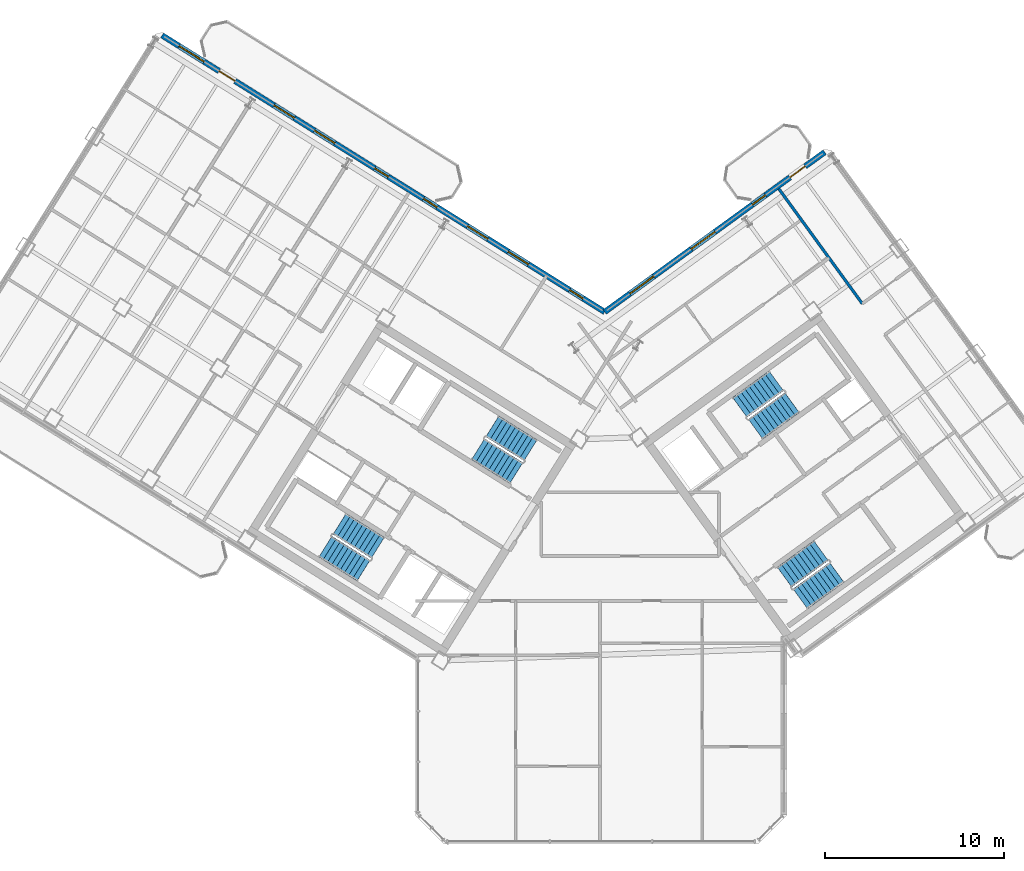
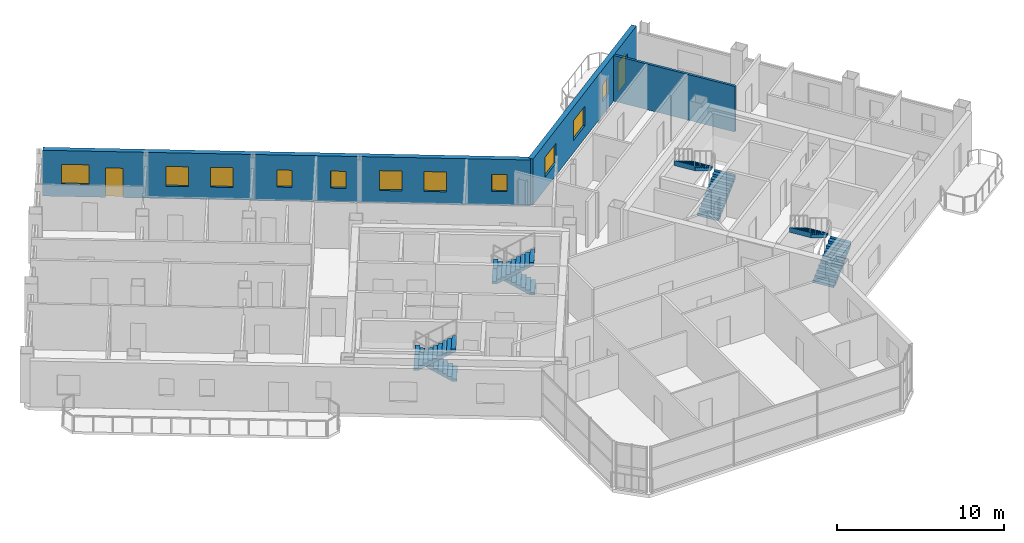
# One storey, part 16 of 21: 11 windows, 8 stair flights, 3 walls, 2 doors, 13 openings, 4 elements without a shape of their own.
"""IFC4 building model written with IfcOpenShell, lengths in metres."""

from ifc_helpers import new_model, si_unit, direction, frame, frame_2d, origin, place, context, subcontext, project, spatial, polyline, rectangle, outline, extrude, source, transform, mapped, material, layer, layer_set, type_object, element, fill, aggregate, save


model = new_model("IFC4")

# Units and contexts
model_context = context("Model", 3, precision=1e-05, world=origin(), true_north=direction((0.0, 1.0)))
body_context = subcontext(model_context, "Body", "Model", "MODEL_VIEW")
ifc_project = project(units=[si_unit("LENGTHUNIT", "METRE"), si_unit("AREAUNIT", "SQUARE_METRE"), si_unit("VOLUMEUNIT", "CUBIC_METRE"), si_unit("PLANEANGLEUNIT", "RADIAN"), si_unit("MASSUNIT", "GRAM", prefix="KILO")], contexts=[model_context])

# Site, building, storey
site_placement = place(None, origin())
site = spatial("IfcSite", under=ifc_project, at=site_placement, CompositionType="ELEMENT")
building_placement = place(site_placement, origin())
building = spatial("IfcBuilding", under=site, at=building_placement, Name="Tlacorven Tower", CompositionType="ELEMENT")
storey_placement = place(building_placement, frame((0.0, 0.0, 222.0)))
storey = spatial("IfcBuildingStorey", under=building, at=storey_placement, Name="L56", CompositionType="ELEMENT", Elevation=222.0)

# Wall
ifc_material_1 = material(Name="Gypsum plasterboard acoustic partition", Category="gypsum")
ifc_layer_1 = layer(ifc_material_1, 0.159912109375)
ifc_layer_set_1 = layer_set([ifc_layer_1], Name="Gypsum plasterboard acoustic partition")
wall_type_1 = type_object("IfcWallType", Name="WL-DEM-160", PredefinedType="PARTITIONING", material=ifc_layer_set_1)
wall_1_placement = place(storey_placement, frame((56.626708984375, 32.06201171875, 0.0), z_axis=(0.0, 0.0, 1.0), x_axis=(-0.587769918433, 0.809028134854, 0.0)))
element("IfcWall", 1, at=wall_1_placement, inside=storey, type_object=wall_type_1, Name="L56 partition 81", PredefinedType="PARTITIONING", context=body_context, shape_type="SweptSolid", body=[
    extrude(rectangle(XDim=7.9501953125, YDim=0.159912109375, at=frame_2d((3.97509765625, 0.0))), origin(), (0.0, 0.0, 1.0), 3.340087890625),
])

# Wall, openings, door, windows
ifc_material_2 = material(Name="Precast concrete C45/55", Category="concrete")
ifc_layer_2 = layer(ifc_material_2, 0.320068359375)
ifc_layer_set_2 = layer_set([ifc_layer_2], Name="Precast concrete C45/55")
wall_type_2 = type_object("IfcWallType", Name="WL-EXT-320", PredefinedType="STANDARD", material=ifc_layer_set_2)
wall_2_placement = place(storey_placement, frame((17.423828125, 47.083251953125, 0.0), z_axis=(0.0, 0.0, 1.0), x_axis=(0.848049927979, -0.529916332693, 0.0)))
wall_2 = element("IfcWall", 2, at=wall_2_placement, inside=storey, type_object=wall_type_2, Name="L56 Masonry-Frame Recessed Facade Wall 3", PredefinedType="STANDARD", context=body_context, shape_type="SweptSolid", body=[
    extrude(rectangle(XDim=29.22314453125, YDim=0.320068359375, at=frame_2d((14.611572265625, 0.0))), origin(), (0.0, 0.0, 1.0), 3.35009765625),
])
opening_1_placement = place(wall_2_placement, frame((3.77001953125, 0.0, 0.0)))
opening_1 = element("IfcOpeningElement", 3, at=opening_1_placement, cuts=wall_2, Name="Opening D06", PredefinedType="OPENING", context=body_context, shape_type="SweptSolid", body=[
    extrude(rectangle(XDim=1.050048828125, YDim=2.14990234375, at=frame_2d((0.52490234375, 1.074951171875))), frame((0.0, 0.169921875, 0.0), z_axis=(0.0, -1.0, 0.0), x_axis=(1.0, 0.0, 0.0)), (0.0, 0.0, 1.0), 0.340087890625),
])
opening_2_placement = place(wall_2_placement, frame((1.125, 0.0, 0.89990234375)))
opening_2 = element("IfcOpeningElement", 4, at=opening_2_placement, cuts=wall_2, Name="Opening WN07", PredefinedType="OPENING", context=body_context, shape_type="SweptSolid", body=[
    extrude(rectangle(XDim=1.64990234375, YDim=1.449951171875, at=frame_2d((0.824951171875, 0.72509765625))), frame((0.0, 0.169921875, 0.0), z_axis=(0.0, -1.0, 0.0), x_axis=(1.0, 0.0, 0.0)), (0.0, 0.0, 1.0), 0.340087890625),
])
opening_3_placement = place(wall_2_placement, frame((7.3837890625, 0.0, 0.89990234375)))
opening_3 = element("IfcOpeningElement", 5, at=opening_3_placement, cuts=wall_2, Name="Opening WN08", PredefinedType="OPENING", context=body_context, shape_type="SweptSolid", body=[
    extrude(rectangle(XDim=1.35009765625, YDim=1.449951171875, at=frame_2d((0.675048828125, 0.72509765625))), frame((0.0, 0.169921875, 0.0), z_axis=(0.0, -1.0, 0.0), x_axis=(1.0, 0.0, 0.0)), (0.0, 0.0, 1.0), 0.340087890625),
])
opening_4_placement = place(wall_2_placement, frame((10.0537109375, 0.0, 0.89990234375)))
opening_4 = element("IfcOpeningElement", 6, at=opening_4_placement, cuts=wall_2, Name="Opening WN08", PredefinedType="OPENING", context=body_context, shape_type="SweptSolid", body=[
    extrude(rectangle(XDim=1.35009765625, YDim=1.449951171875, at=frame_2d((0.675048828125, 0.72509765625))), frame((0.0, 0.169921875, 0.0), z_axis=(0.0, -1.0, 0.0), x_axis=(1.0, 0.0, 0.0)), (0.0, 0.0, 1.0), 0.340087890625),
])
opening_5_placement = place(wall_2_placement, frame((14.038818359375, 0.0, 1.0)))
opening_5 = element("IfcOpeningElement", 7, at=opening_5_placement, cuts=wall_2, Name="Opening WN05", PredefinedType="OPENING", context=body_context, shape_type="SweptSolid", body=[
    extrude(rectangle(XDim=0.89990234375, YDim=1.25, at=frame_2d((0.449951171875, 0.625))), frame((0.0, 0.169921875, 0.0), z_axis=(0.0, -1.0, 0.0), x_axis=(1.0, 0.0, 0.0)), (0.0, 0.0, 1.0), 0.340087890625),
])
opening_6_placement = place(wall_2_placement, frame((17.253662109375, 0.0, 1.0)))
opening_6 = element("IfcOpeningElement", 8, at=opening_6_placement, cuts=wall_2, Name="Opening WN05", PredefinedType="OPENING", context=body_context, shape_type="SweptSolid", body=[
    extrude(rectangle(XDim=0.89990234375, YDim=1.25, at=frame_2d((0.449951171875, 0.625))), frame((0.0, 0.169921875, 0.0), z_axis=(0.0, -1.0, 0.0), x_axis=(1.0, 0.0, 0.0)), (0.0, 0.0, 1.0), 0.340087890625),
])
opening_7_placement = place(wall_2_placement, frame((20.1611328125, 0.0, 0.89990234375)))
opening_7 = element("IfcOpeningElement", 9, at=opening_7_placement, cuts=wall_2, Name="Opening WN08", PredefinedType="OPENING", context=body_context, shape_type="SweptSolid", body=[
    extrude(rectangle(XDim=1.35009765625, YDim=1.449951171875, at=frame_2d((0.675048828125, 0.72509765625))), frame((0.0, 0.169921875, 0.0), z_axis=(0.0, -1.0, 0.0), x_axis=(1.0, 0.0, 0.0)), (0.0, 0.0, 1.0), 0.340087890625),
])
opening_8_placement = place(wall_2_placement, frame((22.84619140625, 0.0, 0.89990234375)))
opening_8 = element("IfcOpeningElement", 10, at=opening_8_placement, cuts=wall_2, Name="Opening WN08", PredefinedType="OPENING", context=body_context, shape_type="SweptSolid", body=[
    extrude(rectangle(XDim=1.35009765625, YDim=1.449951171875, at=frame_2d((0.675048828125, 0.72509765625))), frame((0.0, 0.169921875, 0.0), z_axis=(0.0, -1.0, 0.0), x_axis=(1.0, 0.0, 0.0)), (0.0, 0.0, 1.0), 0.340087890625),
])
opening_9_placement = place(wall_2_placement, frame((26.8984375, 0.0, 1.0)))
opening_9 = element("IfcOpeningElement", 11, at=opening_9_placement, cuts=wall_2, Name="Opening WN05", PredefinedType="OPENING", context=body_context, shape_type="SweptSolid", body=[
    extrude(rectangle(XDim=0.89990234375, YDim=1.25, at=frame_2d((0.449951171875, 0.625))), frame((0.0, 0.169921875, 0.0), z_axis=(0.0, -1.0, 0.0), x_axis=(1.0, 0.0, 0.0)), (0.0, 0.0, 1.0), 0.340087890625),
])
ifc_material_3 = material(Name="Powder-coated aluminium and timber door", Category="wood")
door_type = type_object("IfcDoorType", Name="DR-EXT-BALC-1050", OperationType="NOTDEFINED", PredefinedType="DOOR", material=ifc_material_3)
shared_shape_1 = source(origin(), body_context, "Body", "SweptSolid", [
    extrude(rectangle(XDim=1.050048828125, YDim=2.14990234375, at=frame_2d((0.52490234375, 1.074951171875))), frame((0.0, 0.02490234375, 0.0), z_axis=(0.0, -1.0, 0.0), x_axis=(1.0, 0.0, 0.0)), (0.0, 0.0, 1.0), 0.050048828125),
])
door_1_placement = place(opening_1_placement, origin())
door_1 = element("IfcDoor", 12, at=door_1_placement, inside=storey, type_object=door_type, Name="L56 Outdoor Access Door BAL-L56-W-IN", OperationType="SINGLE_SWING_RIGHT", OverallHeight=2.14990234375, OverallWidth=1.050048828125, PredefinedType="DOOR", context=body_context, shape_type="MappedRepresentation", body=[
    mapped(shared_shape_1, transform((0.0, 0.0, 0.0), scale=1.0)),
])
fill(opening_1, door_1)
ifc_material_4 = material(Name="Dark solar low-E double glazing in anodised aluminium frame", Category="aluminium")
window_type_1 = type_object("IfcWindowType", Name="WN-APT-0900X1350", PartitioningType="SINGLE_PANEL", PredefinedType="WINDOW", material=ifc_material_4)
shared_shape_2 = source(origin(), body_context, "Body", "SweptSolid", [
    extrude(rectangle(XDim=0.89990234375, YDim=1.25, at=frame_2d((0.449951171875, 0.625))), frame((0.0, 0.030029296875, 0.0), z_axis=(0.0, -1.0, 0.0), x_axis=(1.0, 0.0, 0.0)), (0.0, 0.0, 1.0), 0.06005859375),
])
window_1_placement = place(opening_5_placement, origin())
window_1 = element("IfcWindow", 13, at=window_1_placement, inside=storey, type_object=window_type_1, Name="L56 Recessed Masonry-Frame Window L56-03.4", OverallHeight=1.25, OverallWidth=0.89990234375, PartitioningType="SINGLE_PANEL", PredefinedType="WINDOW", context=body_context, shape_type="MappedRepresentation", body=[
    mapped(shared_shape_2, transform((0.0, 0.0, 0.0), scale=1.0)),
])
fill(opening_5, window_1)
window_2_placement = place(opening_6_placement, origin())
window_2 = element("IfcWindow", 14, at=window_2_placement, inside=storey, type_object=window_type_1, Name="L56 Recessed Masonry-Frame Window L56-03.5", OverallHeight=1.25, OverallWidth=0.89990234375, PartitioningType="SINGLE_PANEL", PredefinedType="WINDOW", context=body_context, shape_type="MappedRepresentation", body=[
    mapped(shared_shape_2, transform((0.0, 0.0, 0.0), scale=1.0)),
])
fill(opening_6, window_2)
window_3_placement = place(opening_9_placement, origin())
window_3 = element("IfcWindow", 15, at=window_3_placement, inside=storey, type_object=window_type_1, Name="L56 Recessed Masonry-Frame Window L56-03.8", OverallHeight=1.25, OverallWidth=0.89990234375, PartitioningType="SINGLE_PANEL", PredefinedType="WINDOW", context=body_context, shape_type="MappedRepresentation", body=[
    mapped(shared_shape_2, transform((0.0, 0.0, 0.0), scale=1.0)),
])
fill(opening_9, window_3)
window_type_2 = type_object("IfcWindowType", Name="WN-APT-1650X1600", PartitioningType="SINGLE_PANEL", PredefinedType="WINDOW", material=ifc_material_4)
shared_shape_3 = source(origin(), body_context, "Body", "SweptSolid", [
    extrude(rectangle(XDim=1.64990234375, YDim=1.449951171875, at=frame_2d((0.824951171875, 0.72509765625))), frame((0.0, 0.030029296875, 0.0), z_axis=(0.0, -1.0, 0.0), x_axis=(1.0, 0.0, 0.0)), (0.0, 0.0, 1.0), 0.06005859375),
])
window_4_placement = place(opening_2_placement, origin())
window_4 = element("IfcWindow", 16, at=window_4_placement, inside=storey, type_object=window_type_2, Name="L56 Recessed Masonry-Frame Window L56-03.1", OverallHeight=1.449951171875, OverallWidth=1.64990234375, PartitioningType="SINGLE_PANEL", PredefinedType="WINDOW", context=body_context, shape_type="MappedRepresentation", body=[
    mapped(shared_shape_3, transform((0.0, 0.0, 0.0), scale=1.0)),
])
fill(opening_2, window_4)
window_type_3 = type_object("IfcWindowType", Name="WN-APT-1350X1550", PartitioningType="SINGLE_PANEL", PredefinedType="WINDOW", material=ifc_material_4)
shared_shape_4 = source(origin(), body_context, "Body", "SweptSolid", [
    extrude(rectangle(XDim=1.35009765625, YDim=1.449951171875, at=frame_2d((0.675048828125, 0.72509765625))), frame((0.0, 0.030029296875, 0.0), z_axis=(0.0, -1.0, 0.0), x_axis=(1.0, 0.0, 0.0)), (0.0, 0.0, 1.0), 0.06005859375),
])
window_5_placement = place(opening_3_placement, origin())
window_5 = element("IfcWindow", 17, at=window_5_placement, inside=storey, type_object=window_type_3, Name="L56 Recessed Masonry-Frame Window L56-03.2", OverallHeight=1.449951171875, OverallWidth=1.35009765625, PartitioningType="SINGLE_PANEL", PredefinedType="WINDOW", context=body_context, shape_type="MappedRepresentation", body=[
    mapped(shared_shape_4, transform((0.0, 0.0, 0.0), scale=1.0)),
])
fill(opening_3, window_5)
window_6_placement = place(opening_4_placement, origin())
window_6 = element("IfcWindow", 18, at=window_6_placement, inside=storey, type_object=window_type_3, Name="L56 Recessed Masonry-Frame Window L56-03.3", OverallHeight=1.449951171875, OverallWidth=1.35009765625, PartitioningType="SINGLE_PANEL", PredefinedType="WINDOW", context=body_context, shape_type="MappedRepresentation", body=[
    mapped(shared_shape_4, transform((0.0, 0.0, 0.0), scale=1.0)),
])
fill(opening_4, window_6)
window_7_placement = place(opening_7_placement, origin())
window_7 = element("IfcWindow", 19, at=window_7_placement, inside=storey, type_object=window_type_3, Name="L56 Recessed Masonry-Frame Window L56-03.6", OverallHeight=1.449951171875, OverallWidth=1.35009765625, PartitioningType="SINGLE_PANEL", PredefinedType="WINDOW", context=body_context, shape_type="MappedRepresentation", body=[
    mapped(shared_shape_4, transform((0.0, 0.0, 0.0), scale=1.0)),
])
fill(opening_7, window_7)
window_8_placement = place(opening_8_placement, origin())
window_8 = element("IfcWindow", 20, at=window_8_placement, inside=storey, type_object=window_type_3, Name="L56 Recessed Masonry-Frame Window L56-03.7", OverallHeight=1.449951171875, OverallWidth=1.35009765625, PartitioningType="SINGLE_PANEL", PredefinedType="WINDOW", context=body_context, shape_type="MappedRepresentation", body=[
    mapped(shared_shape_4, transform((0.0, 0.0, 0.0), scale=1.0)),
])
fill(opening_8, window_8)

wall_3_placement = place(storey_placement, frame((42.20654296875, 31.597412109375, 0.0), z_axis=(0.0, 0.0, 1.0), x_axis=(0.809020333377, 0.587780656523, 0.0)))
wall_3 = element("IfcWall", 21, at=wall_3_placement, inside=storey, type_object=wall_type_2, Name="L56 Masonry-Frame Recessed Facade Wall 4", PredefinedType="STANDARD", context=body_context, shape_type="SweptSolid", body=[
    extrude(rectangle(XDim=15.222900390625, YDim=0.320068359375, at=frame_2d((7.611328125, 0.0))), origin(), (0.0, 0.0, 1.0), 3.35009765625),
])
opening_10_placement = place(wall_3_placement, frame((12.81982421875, 0.0, 0.0)))
opening_10 = element("IfcOpeningElement", 22, at=opening_10_placement, cuts=wall_3, Name="Opening D06", PredefinedType="OPENING", context=body_context, shape_type="SweptSolid", body=[
    extrude(rectangle(XDim=1.050048828125, YDim=2.14990234375, at=frame_2d((0.52490234375, 1.074951171875))), frame((0.0, 0.169921875, 0.0), z_axis=(0.0, -1.0, 0.0), x_axis=(1.0, 0.0, 0.0)), (0.0, 0.0, 1.0), 0.340087890625),
])
opening_11_placement = place(wall_3_placement, frame((1.744873046875, 0.0, 0.89990234375)))
opening_11 = element("IfcOpeningElement", 23, at=opening_11_placement, cuts=wall_3, Name="Opening WN07", PredefinedType="OPENING", context=body_context, shape_type="SweptSolid", body=[
    extrude(rectangle(XDim=1.64990234375, YDim=1.449951171875, at=frame_2d((0.824951171875, 0.72509765625))), frame((0.0, 0.169921875, 0.0), z_axis=(0.0, -1.0, 0.0), x_axis=(1.0, 0.0, 0.0)), (0.0, 0.0, 1.0), 0.340087890625),
])
opening_12_placement = place(wall_3_placement, frame((5.984619140625, 0.0, 0.89990234375)))
opening_12 = element("IfcOpeningElement", 24, at=opening_12_placement, cuts=wall_3, Name="Opening WN07", PredefinedType="OPENING", context=body_context, shape_type="SweptSolid", body=[
    extrude(rectangle(XDim=1.64990234375, YDim=1.449951171875, at=frame_2d((0.824951171875, 0.72509765625))), frame((0.0, 0.169921875, 0.0), z_axis=(0.0, -1.0, 0.0), x_axis=(1.0, 0.0, 0.0)), (0.0, 0.0, 1.0), 0.340087890625),
])
opening_13_placement = place(wall_3_placement, frame((10.219482421875, 0.0, 1.0)))
opening_13 = element("IfcOpeningElement", 25, at=opening_13_placement, cuts=wall_3, Name="Opening WN05", PredefinedType="OPENING", context=body_context, shape_type="SweptSolid", body=[
    extrude(rectangle(XDim=0.89990234375, YDim=1.25, at=frame_2d((0.449951171875, 0.625))), frame((0.0, 0.169921875, 0.0), z_axis=(0.0, -1.0, 0.0), x_axis=(1.0, 0.0, 0.0)), (0.0, 0.0, 1.0), 0.340087890625),
])
door_2_placement = place(opening_10_placement, origin())
door_2 = element("IfcDoor", 26, at=door_2_placement, inside=storey, type_object=door_type, Name="L56 Outdoor Access Door BAL-L56-E-IN", OperationType="SINGLE_SWING_RIGHT", OverallHeight=2.14990234375, OverallWidth=1.050048828125, PredefinedType="DOOR", context=body_context, shape_type="MappedRepresentation", body=[
    mapped(shared_shape_1, transform((0.0, 0.0, 0.0), scale=1.0)),
])
fill(opening_10, door_2)
window_9_placement = place(opening_13_placement, origin())
window_9 = element("IfcWindow", 27, at=window_9_placement, inside=storey, type_object=window_type_1, Name="L56 Recessed Masonry-Frame Window L56-04.3", OverallHeight=1.25, OverallWidth=0.89990234375, PartitioningType="SINGLE_PANEL", PredefinedType="WINDOW", context=body_context, shape_type="MappedRepresentation", body=[
    mapped(shared_shape_2, transform((0.0, 0.0, 0.0), scale=1.0)),
])
fill(opening_13, window_9)
window_10_placement = place(opening_11_placement, origin())
window_10 = element("IfcWindow", 28, at=window_10_placement, inside=storey, type_object=window_type_2, Name="L56 Recessed Masonry-Frame Window L56-04.1", OverallHeight=1.449951171875, OverallWidth=1.64990234375, PartitioningType="SINGLE_PANEL", PredefinedType="WINDOW", context=body_context, shape_type="MappedRepresentation", body=[
    mapped(shared_shape_3, transform((0.0, 0.0, 0.0), scale=1.0)),
])
fill(opening_11, window_10)
window_11_placement = place(opening_12_placement, origin())
window_11 = element("IfcWindow", 29, at=window_11_placement, inside=storey, type_object=window_type_2, Name="L56 Recessed Masonry-Frame Window L56-04.2", OverallHeight=1.449951171875, OverallWidth=1.64990234375, PartitioningType="SINGLE_PANEL", PredefinedType="WINDOW", context=body_context, shape_type="MappedRepresentation", body=[
    mapped(shared_shape_3, transform((0.0, 0.0, 0.0), scale=1.0)),
])
fill(opening_12, window_11)

# Stair, stair flights
ifc_material_5 = material(Name="Concrete C40/50", Category="concrete")
stair_type = type_object("IfcStairType", Name="ST-CORE-DLG", PredefinedType="HALF_TURN_STAIR", material=ifc_material_5)
stair_1_placement = place(storey_placement, origin())
stair_1 = element("IfcStair", 30, at=stair_1_placement, inside=storey, type_object=stair_type, Name="L56 Protected Exit Stair West 1", PredefinedType="HALF_TURN_STAIR")
stair_flight_type = type_object("IfcStairFlightType", Name="SFL-RC-1380", PredefinedType="STRAIGHT", material=ifc_material_5)
shared_shape_5 = source(origin(), body_context, "Body", "SweptSolid", [
    extrude(outline(polyline([(-0.0029296875, -0.0029296875), (-0.0029296875, 0.179931640625), (0.280029296875, 0.179931640625), (0.280029296875, 0.360107421875), (0.56005859375, 0.360107421875), (0.56005859375, 0.5400390625), (0.840087890625, 0.5400390625), (0.840087890625, 0.719970703125), (1.1201171875, 0.719970703125), (1.1201171875, 0.89990234375), (1.39990234375, 0.89990234375), (1.39990234375, 1.080078125), (1.679931640625, 1.080078125), (1.679931640625, 1.260009765625), (1.9599609375, 1.260009765625), (1.9599609375, 1.43994140625), (2.239990234375, 1.43994140625), (2.239990234375, 1.6201171875), (2.52001953125, 1.6201171875), (2.52001953125, 1.800048828125), (2.52294921875, 1.800048828125), (2.52294921875, 1.429931640625), (2.52001953125, 1.429931640625), (0.295654296875, 0.0), (0.295654296875, -0.0029296875), (-0.0029296875, -0.0029296875)])), frame((0.0, 0.68994140625, 0.0), z_axis=(0.0, -1.0, 0.0), x_axis=(1.0, 0.0, 0.0)), (0.0, 0.0, 1.0), 1.3798828125),
])
stair_flight_1_placement = place(storey_placement, frame((29.499755859375, 18.39453125, 0.0), z_axis=(0.0, 0.0, 1.0), x_axis=(-0.848048096156, 0.529919264233, 0.0)))
stair_flight_1 = element("IfcStairFlight", 31, at=stair_flight_1_placement, type_object=stair_flight_type, Name="ST-W1 flight 1", NumberOfRisers=10, NumberOfTreads=9, PredefinedType="STRAIGHT", RiserHeight=0.18, TreadLength=0.28, context=body_context, shape_type="MappedRepresentation", body=[
    mapped(shared_shape_5, transform((0.0, 0.0, 0.0), scale=1.0)),
])
stair_flight_2_placement = place(storey_placement, frame((26.56787109375, 18.4580078125, 1.800048828125), z_axis=(0.0, 0.0, 1.0), x_axis=(0.848048096156, -0.529919264233, 0.0)))
stair_flight_2 = element("IfcStairFlight", 32, at=stair_flight_2_placement, type_object=stair_flight_type, Name="ST-W1 flight 2", NumberOfRisers=10, NumberOfTreads=9, PredefinedType="STRAIGHT", RiserHeight=0.18, TreadLength=0.28, context=body_context, shape_type="MappedRepresentation", body=[
    mapped(shared_shape_5, transform((0.0, 0.0, 0.0), scale=1.0)),
])
aggregate(stair_1, [stair_flight_1, stair_flight_2])

stair_2_placement = place(storey_placement, origin())
stair_2 = element("IfcStair", 33, at=stair_2_placement, inside=storey, type_object=stair_type, Name="L56 Protected Exit Stair West 2", PredefinedType="HALF_TURN_STAIR")
stair_flight_3_placement = place(storey_placement, frame((38.051513671875, 23.852294921875, 0.0), z_axis=(0.0, 0.0, 1.0), x_axis=(-0.848048096156, 0.529919264233, 0.0)))
stair_flight_3 = element("IfcStairFlight", 34, at=stair_flight_3_placement, type_object=stair_flight_type, Name="ST-W2 flight 1", NumberOfRisers=10, NumberOfTreads=9, PredefinedType="STRAIGHT", RiserHeight=0.18, TreadLength=0.28, context=body_context, shape_type="MappedRepresentation", body=[
    mapped(shared_shape_5, transform((0.0, 0.0, 0.0), scale=1.0)),
])
stair_flight_4_placement = place(storey_placement, frame((35.119384765625, 23.91552734375, 1.800048828125), z_axis=(0.0, 0.0, 1.0), x_axis=(0.848048096156, -0.529919264233, 0.0)))
stair_flight_4 = element("IfcStairFlight", 35, at=stair_flight_4_placement, type_object=stair_flight_type, Name="ST-W2 flight 2", NumberOfRisers=10, NumberOfTreads=9, PredefinedType="STRAIGHT", RiserHeight=0.18, TreadLength=0.28, context=body_context, shape_type="MappedRepresentation", body=[
    mapped(shared_shape_5, transform((0.0, 0.0, 0.0), scale=1.0)),
])
aggregate(stair_2, [stair_flight_3, stair_flight_4])

stair_3_placement = place(storey_placement, origin())
stair_3 = element("IfcStair", 36, at=stair_3_placement, inside=storey, type_object=stair_type, Name="L56 Protected Exit Stair East 1", PredefinedType="HALF_TURN_STAIR")
stair_flight_5_placement = place(storey_placement, frame((50.6533203125, 25.0400390625, 0.0), z_axis=(0.0, 0.0, 1.0), x_axis=(0.809016994375, 0.587785252292, 0.0)))
stair_flight_5 = element("IfcStairFlight", 37, at=stair_flight_5_placement, type_object=stair_flight_type, Name="ST-E1 flight 1", NumberOfRisers=10, NumberOfTreads=9, PredefinedType="STRAIGHT", RiserHeight=0.18, TreadLength=0.28, context=body_context, shape_type="MappedRepresentation", body=[
    mapped(shared_shape_5, transform((0.0, 0.0, 0.0), scale=1.0)),
])
stair_flight_6_placement = place(storey_placement, frame((51.810546875, 27.734619140625, 1.800048828125), z_axis=(0.0, 0.0, 1.0), x_axis=(-0.809016994375, -0.587785252292, 0.0)))
stair_flight_6 = element("IfcStairFlight", 38, at=stair_flight_6_placement, type_object=stair_flight_type, Name="ST-E1 flight 2", NumberOfRisers=10, NumberOfTreads=9, PredefinedType="STRAIGHT", RiserHeight=0.18, TreadLength=0.28, context=body_context, shape_type="MappedRepresentation", body=[
    mapped(shared_shape_5, transform((0.0, 0.0, 0.0), scale=1.0)),
])
aggregate(stair_3, [stair_flight_5, stair_flight_6])

stair_4_placement = place(storey_placement, origin())
stair_4 = element("IfcStair", 39, at=stair_4_placement, inside=storey, type_object=stair_type, Name="L56 Protected Exit Stair East 2", PredefinedType="HALF_TURN_STAIR")
stair_flight_7_placement = place(storey_placement, frame((53.157470703125, 15.536865234375, 0.0), z_axis=(0.0, 0.0, 1.0), x_axis=(0.809016994375, 0.587785252292, 0.0)))
stair_flight_7 = element("IfcStairFlight", 40, at=stair_flight_7_placement, type_object=stair_flight_type, Name="ST-E2 flight 1", NumberOfRisers=10, NumberOfTreads=9, PredefinedType="STRAIGHT", RiserHeight=0.18, TreadLength=0.28, context=body_context, shape_type="MappedRepresentation", body=[
    mapped(shared_shape_5, transform((0.0, 0.0, 0.0), scale=1.0)),
])
stair_flight_8_placement = place(storey_placement, frame((54.314453125, 18.231689453125, 1.800048828125), z_axis=(0.0, 0.0, 1.0), x_axis=(-0.809016994375, -0.587785252292, 0.0)))
stair_flight_8 = element("IfcStairFlight", 41, at=stair_flight_8_placement, type_object=stair_flight_type, Name="ST-E2 flight 2", NumberOfRisers=10, NumberOfTreads=9, PredefinedType="STRAIGHT", RiserHeight=0.18, TreadLength=0.28, context=body_context, shape_type="MappedRepresentation", body=[
    mapped(shared_shape_5, transform((0.0, 0.0, 0.0), scale=1.0)),
])
aggregate(stair_4, [stair_flight_7, stair_flight_8])

save(model, "model.ifc")
